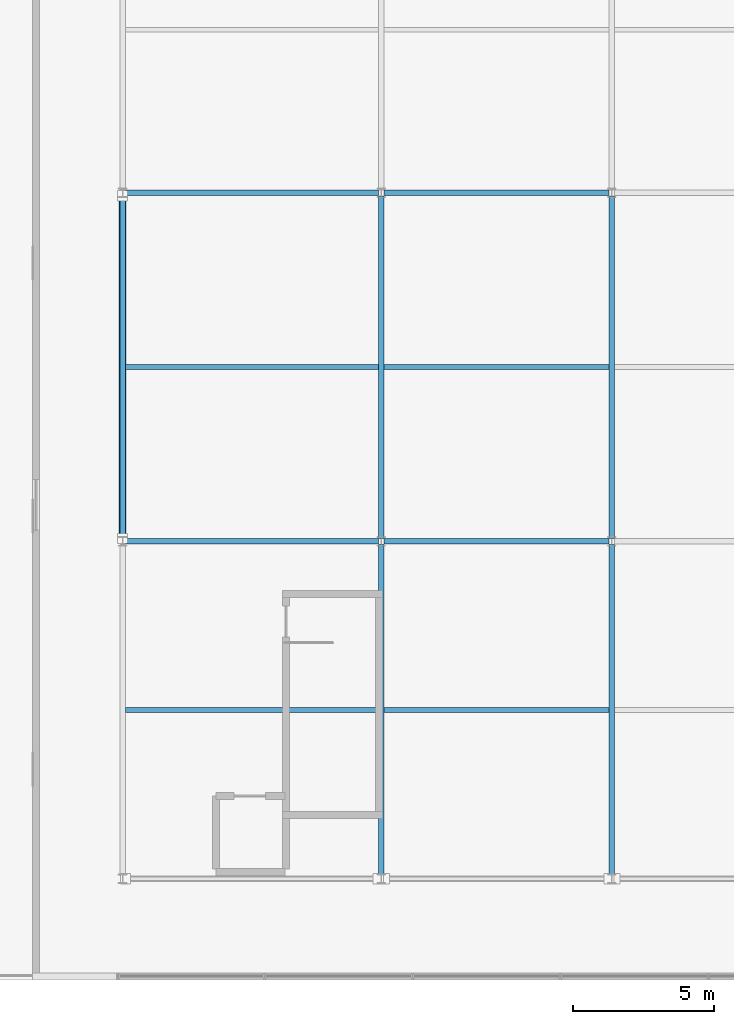
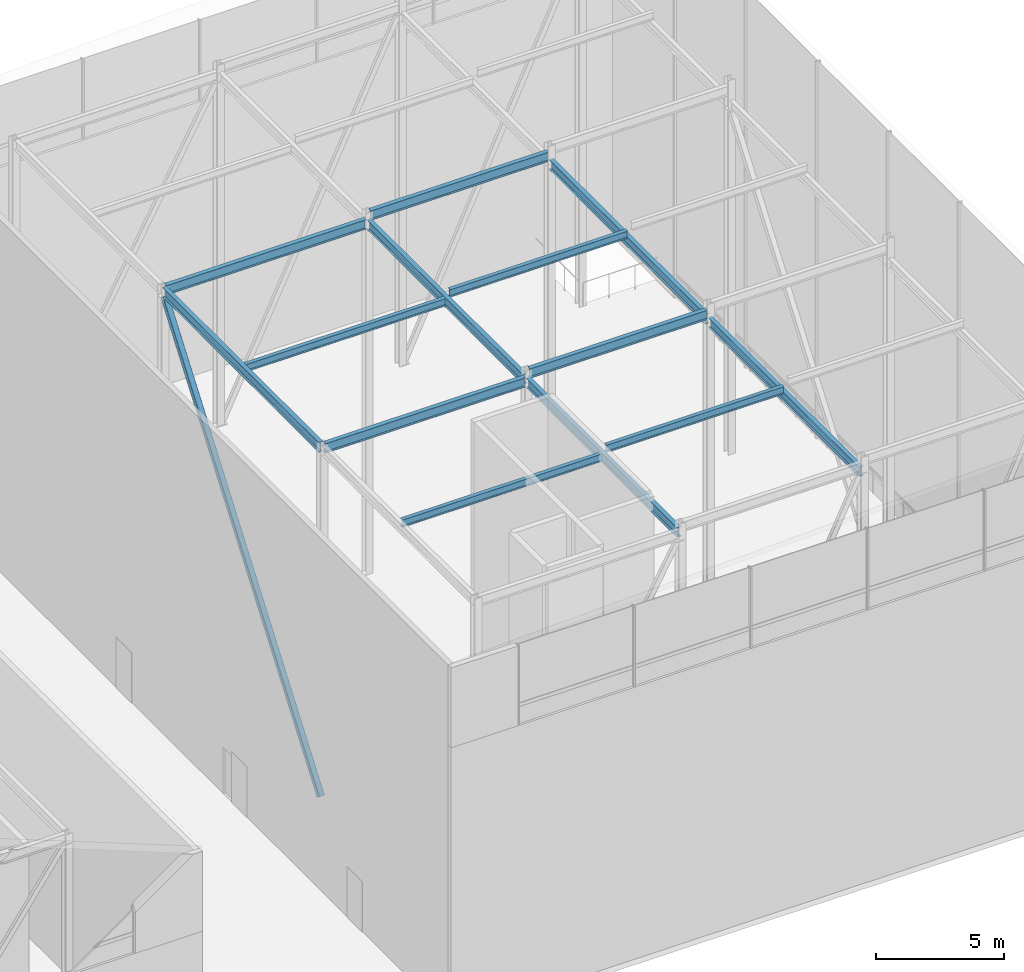
# One storey, part 17 of 39: 13 beams, 1 member.
"""IFC4 building model written with IfcOpenShell, lengths in metres."""

from ifc_helpers import new_model, si_unit, direction, frame, origin, origin_2d, place, context, subcontext, project, spatial, hollow_rectangle, i_section, extrude, material, material_profile, profile_set, type_object, element, save


model = new_model("IFC4")

# Units and contexts
model_context = context("Model", 3, precision=1e-05, world=origin(), true_north=direction((0.0, 1.0)))
body_context = subcontext(model_context, "Body", "Model", "MODEL_VIEW")
ifc_project = project(units=[si_unit("LENGTHUNIT", "METRE"), si_unit("AREAUNIT", "SQUARE_METRE"), si_unit("VOLUMEUNIT", "CUBIC_METRE"), si_unit("PLANEANGLEUNIT", "RADIAN"), si_unit("MASSUNIT", "GRAM", prefix="KILO")], contexts=[model_context])

# Site, building, storey
site_placement = place(None, origin())
site = spatial("IfcSite", under=ifc_project, at=site_placement, CompositionType="ELEMENT")
building_placement = place(site_placement, origin())
building = spatial("IfcBuilding", under=site, at=building_placement, Name="Korimba Cascade Residences", CompositionType="ELEMENT")
storey_placement = place(building_placement, frame((0.0, 0.0, 264.199951171875)))
storey = spatial("IfcBuildingStorey", under=building, at=storey_placement, Name="RF", CompositionType="ELEMENT", Elevation=264.199951171875)

# Beams
ifc_material = material(Name="Steel S355", Category="steel")
ifc_material_profile_1 = material_profile(ifc_material, i_section(OverallWidth=0.172119140625, OverallDepth=0.35791015625, WebThickness=0.008056640625, FlangeThickness=0.012939453125, FilletRadius=0.01025390625, at=origin_2d()), Name="Steel S355")
ifc_profile_set_1 = profile_set([ifc_material_profile_1], Name="Steel S355")
beam_type_1 = type_object("IfcBeamType", Name="BM-STL-UB356", PredefinedType="JOIST", material=ifc_profile_set_1)
beam_1_placement = place(storey_placement, frame((103.0, 61.199951171875, 16.68994140625), z_axis=(1.0, 0.0, 0.0), x_axis=(0.0, 1.0, 0.0)))
element("IfcBeam", 1, at=beam_1_placement, inside=storey, type_object=beam_type_1, Name="RF Crown Cap Joist E1.1", PredefinedType="JOIST", context=body_context, shape_type="SweptSolid", body=[
    extrude(i_section(OverallWidth=0.172119140625, OverallDepth=0.35791015625, WebThickness=0.008056640625, FlangeThickness=0.012939453125, FilletRadius=0.01025390625, at=origin_2d()), origin(), (0.0, 0.0, 1.0), 9.0),
])
beam_2_placement = place(storey_placement, frame((112.199951171875, 61.199951171875, 17.03173828125), z_axis=(1.0, 0.0, 0.0), x_axis=(0.0, 1.0, 0.0)))
element("IfcBeam", 2, at=beam_2_placement, inside=storey, type_object=beam_type_1, Name="RF Crown Cap Joist E1.2", PredefinedType="JOIST", context=body_context, shape_type="SweptSolid", body=[
    extrude(i_section(OverallWidth=0.172119140625, OverallDepth=0.35791015625, WebThickness=0.008056640625, FlangeThickness=0.012939453125, FilletRadius=0.01025390625, at=origin_2d()), origin(), (0.0, 0.0, 1.0), 8.0),
])
beam_3_placement = place(storey_placement, frame((103.0, 73.39990234375, 16.68994140625), z_axis=(1.0, 0.0, 0.0), x_axis=(0.0, 1.0, 0.0)))
element("IfcBeam", 3, at=beam_3_placement, inside=storey, type_object=beam_type_1, Name="RF Crown Cap Joist E2.1", PredefinedType="JOIST", context=body_context, shape_type="SweptSolid", body=[
    extrude(i_section(OverallWidth=0.172119140625, OverallDepth=0.35791015625, WebThickness=0.008056640625, FlangeThickness=0.012939453125, FilletRadius=0.01025390625, at=origin_2d()), origin(), (0.0, 0.0, 1.0), 9.0),
])
beam_4_placement = place(storey_placement, frame((112.199951171875, 73.39990234375, 17.03173828125), z_axis=(1.0, 0.0, 0.0), x_axis=(0.0, 1.0, 0.0)))
element("IfcBeam", 4, at=beam_4_placement, inside=storey, type_object=beam_type_1, Name="RF Crown Cap Joist E2.2", PredefinedType="JOIST", context=body_context, shape_type="SweptSolid", body=[
    extrude(i_section(OverallWidth=0.172119140625, OverallDepth=0.35791015625, WebThickness=0.008056640625, FlangeThickness=0.012939453125, FilletRadius=0.01025390625, at=origin_2d()), origin(), (0.0, 0.0, 1.0), 8.0),
])
ifc_material_profile_2 = material_profile(ifc_material, i_section(OverallWidth=0.19140625, OverallDepth=0.4599609375, WebThickness=0.010009765625, FlangeThickness=0.01611328125, FilletRadius=0.01025390625, at=origin_2d()), Name="Steel S355")
ifc_profile_set_2 = profile_set([ifc_material_profile_2], Name="Steel S355")
beam_type_2 = type_object("IfcBeamType", Name="BM-STL-UB457", PredefinedType="JOIST", material=ifc_profile_set_2)
beam_5_placement = place(storey_placement, frame((103.0048828125, 67.199951171875, 16.638916015625), z_axis=(1.0, 0.0, 0.0), x_axis=(0.0, 1.0, 0.0)))
element("IfcBeam", 5, at=beam_5_placement, inside=storey, type_object=beam_type_2, Name="RF Crown Cap Ring Beam E2.1", PredefinedType="JOIST", context=body_context, shape_type="SweptSolid", body=[
    extrude(i_section(OverallWidth=0.19140625, OverallDepth=0.4599609375, WebThickness=0.010009765625, FlangeThickness=0.01611328125, FilletRadius=0.01025390625, at=origin_2d()), origin(), (0.0, 0.0, 1.0), 8.990234375),
])
beam_6_placement = place(storey_placement, frame((112.205078125, 67.199951171875, 16.980712890625), z_axis=(1.0, 0.0, 0.0), x_axis=(0.0, 1.0, 0.0)))
element("IfcBeam", 6, at=beam_6_placement, inside=storey, type_object=beam_type_2, Name="RF Crown Cap Ring Beam E2.2", PredefinedType="JOIST", context=body_context, shape_type="SweptSolid", body=[
    extrude(i_section(OverallWidth=0.19140625, OverallDepth=0.4599609375, WebThickness=0.010009765625, FlangeThickness=0.01611328125, FilletRadius=0.01025390625, at=origin_2d()), origin(), (0.0, 0.0, 1.0), 7.989990234375),
])
beam_7_placement = place(storey_placement, frame((103.0048828125, 79.60009765625, 16.638916015625), z_axis=(1.0, 0.0, 0.0), x_axis=(0.0, 1.0, 0.0)))
element("IfcBeam", 7, at=beam_7_placement, inside=storey, type_object=beam_type_2, Name="RF Crown Cap Ring Beam E3.1", PredefinedType="JOIST", context=body_context, shape_type="SweptSolid", body=[
    extrude(i_section(OverallWidth=0.19140625, OverallDepth=0.4599609375, WebThickness=0.010009765625, FlangeThickness=0.01611328125, FilletRadius=0.01025390625, at=origin_2d()), origin(), (0.0, 0.0, 1.0), 8.990234375),
])
beam_8_placement = place(storey_placement, frame((112.205078125, 79.60009765625, 16.980712890625), z_axis=(1.0, 0.0, 0.0), x_axis=(0.0, 1.0, 0.0)))
element("IfcBeam", 8, at=beam_8_placement, inside=storey, type_object=beam_type_2, Name="RF Crown Cap Ring Beam E3.2", PredefinedType="JOIST", context=body_context, shape_type="SweptSolid", body=[
    extrude(i_section(OverallWidth=0.19140625, OverallDepth=0.4599609375, WebThickness=0.010009765625, FlangeThickness=0.01611328125, FilletRadius=0.01025390625, at=origin_2d()), origin(), (0.0, 0.0, 1.0), 7.989990234375),
])
beam_9_placement = place(storey_placement, frame((102.89990234375, 67.304931640625, 16.638916015625), z_axis=(0.0, 1.0, 0.0), x_axis=(-1.0, 0.0, 0.0)))
element("IfcBeam", 9, at=beam_9_placement, inside=storey, type_object=beam_type_2, Name="RF Crown Cap Tie Beam E1.2", PredefinedType="JOIST", context=body_context, shape_type="SweptSolid", body=[
    extrude(i_section(OverallWidth=0.19140625, OverallDepth=0.4599609375, WebThickness=0.010009765625, FlangeThickness=0.01611328125, FilletRadius=0.01025390625, at=origin_2d()), origin(), (0.0, 0.0, 1.0), 12.190185546875),
])
beam_10_placement = place(storey_placement, frame((112.10009765625, 55.304931640625, 16.638916015625), z_axis=(0.0, 1.0, 0.0), x_axis=(-1.0, 0.0, 0.0)))
element("IfcBeam", 10, at=beam_10_placement, inside=storey, type_object=beam_type_2, Name="RF Crown Cap Tie Beam E2.1", PredefinedType="JOIST", context=body_context, shape_type="SweptSolid", body=[
    extrude(i_section(OverallWidth=0.19140625, OverallDepth=0.4599609375, WebThickness=0.010009765625, FlangeThickness=0.01611328125, FilletRadius=0.01025390625, at=origin_2d()), origin(), (0.0, 0.0, 1.0), 11.7900390625),
])
beam_11_placement = place(storey_placement, frame((112.10009765625, 67.304931640625, 16.638916015625), z_axis=(0.0, 1.0, 0.0), x_axis=(-1.0, 0.0, 0.0)))
element("IfcBeam", 11, at=beam_11_placement, inside=storey, type_object=beam_type_2, Name="RF Crown Cap Tie Beam E2.2", PredefinedType="JOIST", context=body_context, shape_type="SweptSolid", body=[
    extrude(i_section(OverallWidth=0.19140625, OverallDepth=0.4599609375, WebThickness=0.010009765625, FlangeThickness=0.01611328125, FilletRadius=0.01025390625, at=origin_2d()), origin(), (0.0, 0.0, 1.0), 12.190185546875),
])
beam_12_placement = place(storey_placement, frame((120.300048828125, 55.304931640625, 16.638916015625), z_axis=(0.0, 1.0, 0.0), x_axis=(-1.0, 0.0, 0.0)))
element("IfcBeam", 12, at=beam_12_placement, inside=storey, type_object=beam_type_2, Name="RF Crown Cap Tie Beam E3.1", PredefinedType="JOIST", context=body_context, shape_type="SweptSolid", body=[
    extrude(i_section(OverallWidth=0.19140625, OverallDepth=0.4599609375, WebThickness=0.010009765625, FlangeThickness=0.01611328125, FilletRadius=0.01025390625, at=origin_2d()), origin(), (0.0, 0.0, 1.0), 11.7900390625),
])
beam_13_placement = place(storey_placement, frame((120.300048828125, 67.304931640625, 16.638916015625), z_axis=(0.0, 1.0, 0.0), x_axis=(-1.0, 0.0, 0.0)))
element("IfcBeam", 13, at=beam_13_placement, inside=storey, type_object=beam_type_2, Name="RF Crown Cap Tie Beam E3.2", PredefinedType="JOIST", context=body_context, shape_type="SweptSolid", body=[
    extrude(i_section(OverallWidth=0.19140625, OverallDepth=0.4599609375, WebThickness=0.010009765625, FlangeThickness=0.01611328125, FilletRadius=0.01025390625, at=origin_2d()), origin(), (0.0, 0.0, 1.0), 12.190185546875),
])

# Member
ifc_material_profile_3 = material_profile(ifc_material, hollow_rectangle(XDim=0.25, YDim=0.25, WallThickness=0.010009765625, InnerFilletRadius=0.010009765625, OuterFilletRadius=0.02001953125, at=origin_2d()), Name="Steel S355")
ifc_profile_set_3 = profile_set([ifc_material_profile_3], Name="Steel S355")
member_type = type_object("IfcMemberType", Name="MEM-CRN-SHS250", PredefinedType="STRUT", material=ifc_profile_set_3)
member_placement = place(storey_placement, frame((102.89990234375, 67.304931640625, 0.0), z_axis=(0.0, 0.59620286187, 0.80283382309), x_axis=(-1.0, 0.0, 0.0)))
element("IfcMember", 14, at=member_placement, inside=storey, type_object=member_type, Name="RF CROWN FRAME Strut E1", PredefinedType="STRUT", context=body_context, shape_type="SweptSolid", body=[
    extrude(hollow_rectangle(XDim=0.25, YDim=0.25, WallThickness=0.010009765625, InnerFilletRadius=0.010009765625, OuterFilletRadius=0.02001953125, at=origin_2d()), origin(), (0.0, 0.0, 1.0), 20.4462890625),
])

save(model, "model.ifc")
